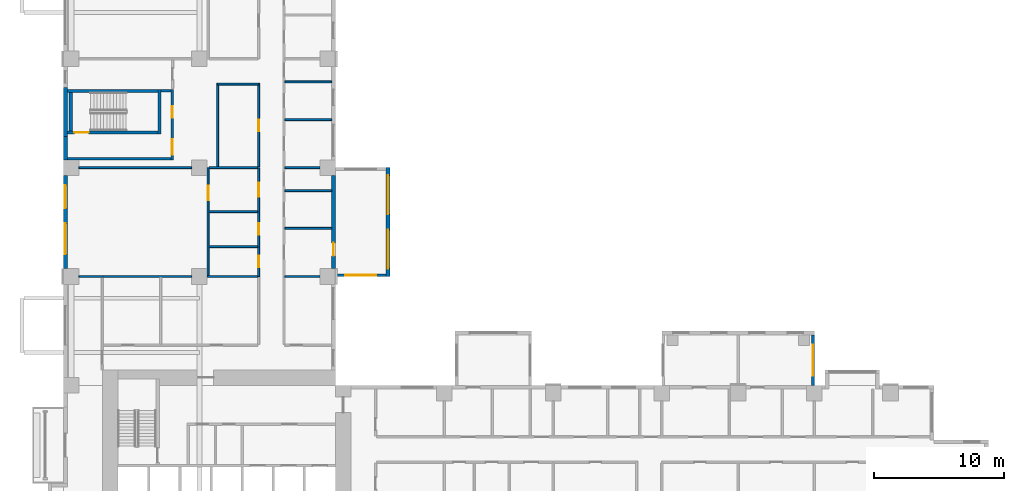
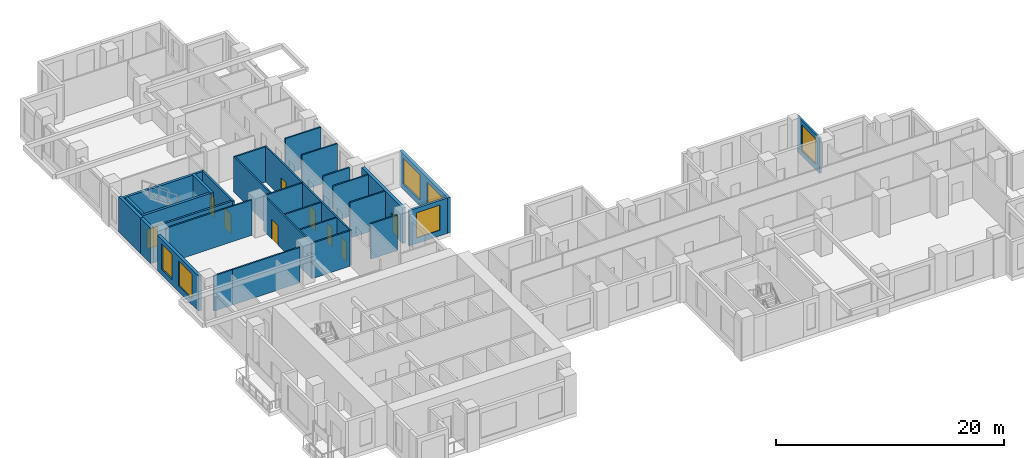
# One storey, part 6 of 14: 32 walls, 9 doors, 6 windows, 15 openings.
"""IFC4 building model written with IfcOpenShell, lengths in metres."""

import ifcopenshell
import ifcopenshell.guid

model = None  # the IFC model being written
_history = None  # IfcOwnerHistory: only IFC2X3 demands one
_inside = {}  # id of a spatial element -> (the spatial element, [elements in it])
_under = {}  # id of a project, library or spatial element -> (it, [spatial elements below it])
_declared = {}  # id of a project -> (the project, [libraries it declares])
_typed = {}  # id of a type object -> (the type object, [elements of that type])
_made_of = {}  # id of a material, layer set ... -> (it, [elements and type objects made of it])


def new_model(schema):
    """Start an empty IFC model of exactly this schema.

    Asked for "IFC4X3", IfcOpenShell would pick the latest addendum, in which some entities
    have other attributes; the version numbers below select the first issue.
    IFC2X3 requires an IfcOwnerHistory on every rooted entity: one is made here for all.
    """
    global model, _history
    if schema == "IFC4X3":
        model = ifcopenshell.file(schema_version=(4, 3, 0, 0))
    else:
        model = ifcopenshell.file(schema=schema)
    _inside.clear()
    _under.clear()
    _declared.clear()
    _typed.clear()
    _made_of.clear()
    _history = None
    if model.schema == "IFC2X3":
        org = make("IfcOrganization", Name="unknown")
        user = make(
            "IfcPersonAndOrganization",
            ThePerson=make("IfcPerson", FamilyName="unknown"),
            TheOrganization=org,
        )
        app = make(
            "IfcApplication",
            ApplicationDeveloper=org,
            Version="unknown",
            ApplicationFullName="unknown",
            ApplicationIdentifier="unknown",
        )
        _history = make(
            "IfcOwnerHistory",
            OwningUser=user,
            OwningApplication=app,
            ChangeAction="ADDED",
            CreationDate=0,
        )
    return model


def make(cls, **values):
    """One entity of the class cls with the attributes given. An attribute that is None is left unset."""
    return model.create_entity(
        cls, **{name: value for name, value in values.items() if value is not None}
    )


def rooted(cls, **values):
    """An entity with a GlobalId (a new one), such as an element, a storey or a relation."""
    return make(cls, GlobalId=ifcopenshell.guid.new(), OwnerHistory=_history, **values)


def si_unit(unit_type, name, prefix=None):
    """IfcSIUnit, for example si_unit("LENGTHUNIT", "METRE", prefix="MILLI")."""
    return make("IfcSIUnit", UnitType=unit_type, Prefix=prefix, Name=name)


def assignment(units):
    """IfcUnitAssignment: the units of a project."""
    return None if units is None else make("IfcUnitAssignment", Units=units)


def point(xyz):
    """IfcCartesianPoint."""
    return None if xyz is None else make("IfcCartesianPoint", Coordinates=xyz)


def direction(xyz):
    """IfcDirection."""
    return None if xyz is None else make("IfcDirection", DirectionRatios=xyz)


def frame(location, z_axis=None, x_axis=None):
    """IfcAxis2Placement3D, a coordinate frame: its origin and axes. An axis left out is left unset."""
    return make(
        "IfcAxis2Placement3D",
        Location=point(location),
        Axis=direction(z_axis),
        RefDirection=direction(x_axis),
    )


def frame_2d(location, x_axis=None):
    """IfcAxis2Placement2D, a coordinate frame in the plane: its origin and x axis."""
    return make(
        "IfcAxis2Placement2D", Location=point(location), RefDirection=direction(x_axis)
    )


def origin():
    """The frame at (0, 0, 0) with its axes left unset."""
    return frame((0.0, 0.0, 0.0))


def place(relative_to, where):
    """IfcLocalPlacement: puts the frame where relative to a parent placement (None: the world)."""
    return make(
        "IfcLocalPlacement", PlacementRelTo=relative_to, RelativePlacement=where
    )


def context(
    kind, dimensions, precision=None, world=None, true_north=None, identifier=None
):
    """IfcGeometricRepresentationContext, for example the 3D "Model" context."""
    return make(
        "IfcGeometricRepresentationContext",
        ContextIdentifier=identifier,
        ContextType=kind,
        CoordinateSpaceDimension=dimensions,
        Precision=precision,
        WorldCoordinateSystem=world,
        TrueNorth=true_north,
    )


def subcontext(parent, identifier, kind, view, scale=None):
    """IfcGeometricRepresentationSubContext, for example "Body" below "Model"."""
    return make(
        "IfcGeometricRepresentationSubContext",
        ContextIdentifier=identifier,
        ContextType=kind,
        ParentContext=parent,
        TargetScale=scale,
        TargetView=view,
    )


def project(units=None, contexts=None):
    """IfcProject with its units and contexts."""
    return rooted(
        "IfcProject",
        Name="project",
        RepresentationContexts=contexts,
        UnitsInContext=assignment(units),
    )


def spatial(cls, under=None, at=None, **own):
    """A site, building, storey or space (cls), placed at a placement, below another one or the project."""
    s = rooted(cls, ObjectPlacement=at, **own)
    if under is not None:
        _under.setdefault(under.id(), (under, []))[1].append(s)
    return s


def profile(cls, at=None, kind="AREA", **sizes):
    """A parametric profile (cls). Its sizes go by their IFC names, for example OverallWidth=200.0."""
    return make(cls, ProfileType=kind, Position=at, **sizes)


def rectangle(**sizes):
    """IfcRectangleProfileDef."""
    return profile("IfcRectangleProfileDef", **sizes)


def extrude(swept, where, along, depth):
    """IfcExtrudedAreaSolid: the profile swept, set in the frame where, extruded along a direction by depth."""
    return make(
        "IfcExtrudedAreaSolid",
        SweptArea=swept,
        Position=where,
        ExtrudedDirection=direction(along),
        Depth=depth,
    )


def shape(context_of_items, identifier, shape_type, items):
    """IfcShapeRepresentation: the items that make up one representation, for example the "Body"."""
    return make(
        "IfcShapeRepresentation",
        ContextOfItems=context_of_items,
        RepresentationIdentifier=identifier,
        RepresentationType=shape_type,
        Items=items,
    )


def source(mapping_origin, context_of_items, identifier, shape_type, items):
    """IfcRepresentationMap: a shape defined once, which mapped items show again and again."""
    return make(
        "IfcRepresentationMap",
        MappingOrigin=mapping_origin,
        MappedRepresentation=shape(context_of_items, identifier, shape_type, items),
    )


def transform(
    local_origin,
    x_axis=None,
    y_axis=None,
    z_axis=None,
    scale=None,
    scale2=None,
    scale3=None,
    uniform=True,
):
    """IfcCartesianTransformationOperator3D, or its non-uniform kind. x_axis, y_axis, z_axis: its Axis1, 2, 3."""
    if uniform:
        return make(
            "IfcCartesianTransformationOperator3D",
            Axis1=direction(x_axis),
            Axis2=direction(y_axis),
            LocalOrigin=point(local_origin),
            Scale=scale,
            Axis3=direction(z_axis),
        )
    return make(
        "IfcCartesianTransformationOperator3DnonUniform",
        Axis1=direction(x_axis),
        Axis2=direction(y_axis),
        LocalOrigin=point(local_origin),
        Scale=scale,
        Axis3=direction(z_axis),
        Scale2=scale2,
        Scale3=scale3,
    )


def mapped(mapping_source, mapping_target):
    """IfcMappedItem: shows the shape of a source again, moved by a transform."""
    return make(
        "IfcMappedItem", MappingSource=mapping_source, MappingTarget=mapping_target
    )


def material(Name=None, Category=None):
    """IfcMaterial."""
    return make("IfcMaterial", Name=Name, Category=Category)


def layer(
    of_material, thickness, ventilated=None, Name=None, Category=None, Priority=None
):
    """IfcMaterialLayer: one layer of a wall or slab, of a material (None: an air gap)."""
    return make(
        "IfcMaterialLayer",
        Material=of_material,
        LayerThickness=thickness,
        IsVentilated=ventilated,
        Name=Name,
        Category=Category,
        Priority=Priority,
    )


def layer_set(layers, Name=None):
    """IfcMaterialLayerSet."""
    return make("IfcMaterialLayerSet", MaterialLayers=layers, LayerSetName=Name)


def made_of(thing, what):
    """Note that an element or type object is made of a material, layer set ...; save() writes the relation."""
    if what is not None:
        _made_of.setdefault(what.id(), (what, []))[1].append(thing)
    return thing


def type_object(cls, material=None, **own):
    """A type object (cls), such as IfcWallType, which elements share."""
    return made_of(rooted(cls, **own), material)


def element(
    cls,
    number,
    at=None,
    inside=None,
    cuts=None,
    type_object=None,
    material=None,
    context=None,
    identifier="Body",
    shape_type=None,
    held_by="IfcProductDefinitionShape",
    body=None,
    shapes=None,
    **own,
):
    """One element of the class cls, such as IfcWall. Its Tag is "e" and its number.

    at: its placement. inside: the storey or other place that contains it. cuts: it is an
    opening in that element (IfcRelVoidsElement). A single representation is given by context,
    identifier, shape_type and body (its items); several are given by shapes. held_by: the class
    of the entity that holds the representations. save() writes the other relations.
    """
    e = rooted(cls, Tag="e%d" % number, ObjectPlacement=at, **own)
    if body is not None:
        shapes = [shape(context, identifier, shape_type, body)]
    if shapes is not None:
        e.Representation = make(held_by, Representations=shapes)
    if inside is not None:
        _inside.setdefault(inside.id(), (inside, []))[1].append(e)
    if cuts is not None:
        rooted(
            "IfcRelVoidsElement", RelatingBuildingElement=cuts, RelatedOpeningElement=e
        )
    if type_object is not None:
        _typed.setdefault(type_object.id(), (type_object, []))[1].append(e)
    return made_of(e, material)


def fill(opening, filler):
    """IfcRelFillsElement: the door or window that sits in an opening."""
    return rooted(
        "IfcRelFillsElement",
        RelatingOpeningElement=opening,
        RelatedBuildingElement=filler,
    )


def aggregate(whole, parts):
    """IfcRelAggregates: a whole, such as a stair, and the parts it consists of."""
    return rooted("IfcRelAggregates", RelatingObject=whole, RelatedObjects=parts)


def save(model, path):
    """Write the relations noted so far, then the file.

    IfcRelAggregates (storeys below a building ...), IfcRelContainedInSpatialStructure (elements
    in a storey), IfcRelDefinesByType, IfcRelAssociatesMaterial and IfcRelDeclares: one each for
    every whole, place, type object, material and project.
    """
    for whole, parts in _under.values():
        aggregate(whole, parts)
    for where, things in _inside.values():
        rooted(
            "IfcRelContainedInSpatialStructure",
            RelatedElements=things,
            RelatingStructure=where,
        )
    for kind, things in _typed.values():
        rooted("IfcRelDefinesByType", RelatedObjects=things, RelatingType=kind)
    for what, things in _made_of.values():
        rooted("IfcRelAssociatesMaterial", RelatedObjects=things, RelatingMaterial=what)
    for by, libraries in _declared.values():
        rooted("IfcRelDeclares", RelatingContext=by, RelatedDefinitions=libraries)
    model.write(path)


model = new_model("IFC4")

# Units and contexts
model_context = context("Model", 3, precision=1e-05, world=origin(), true_north=direction((0.0, 1.0)))
body_context = subcontext(model_context, "Body", "Model", "MODEL_VIEW")
ifc_project = project(units=[si_unit("LENGTHUNIT", "METRE"), si_unit("AREAUNIT", "SQUARE_METRE"), si_unit("VOLUMEUNIT", "CUBIC_METRE"), si_unit("PLANEANGLEUNIT", "RADIAN"), si_unit("MASSUNIT", "GRAM", prefix="KILO")], contexts=[model_context])

# Site, building, storey
site_placement = place(None, origin())
site = spatial("IfcSite", under=ifc_project, at=site_placement, CompositionType="ELEMENT")
building_placement = place(site_placement, origin())
building = spatial("IfcBuilding", under=site, at=building_placement, Name="Aurelian Terraces", CompositionType="ELEMENT")
storey_placement = place(building_placement, frame((0.0, 0.0, 53.1)))
storey = spatial("IfcBuildingStorey", under=building, at=storey_placement, Name="L10", CompositionType="ELEMENT", Elevation=53.1)

# Wall, openings, windows
ifc_material_1 = material(Name="Concrete fc' 40 MPa", Category="concrete")
ifc_layer_1 = layer(ifc_material_1, 0.3)
ifc_layer_set_1 = layer_set([ifc_layer_1], Name="BOX BEARING WALL 300")
wall_type_1 = type_object("IfcWallType", Name="BOX BEARING WALL 300", PredefinedType="SOLIDWALL", material=ifc_layer_set_1)
wall_1_placement = place(storey_placement, frame((25.05, 29.4, 0.0), z_axis=(0.0, 0.0, 1.0), x_axis=(0.0, 1.0, 0.0)))
wall_1 = element("IfcWall", 1, at=wall_1_placement, inside=storey, type_object=wall_type_1, Name="Box wall L10 J05", PredefinedType="SOLIDWALL", context=body_context, shape_type="SweptSolid", body=[
    extrude(rectangle(XDim=8.4, YDim=0.3, at=frame_2d((4.2, 0.0))), origin(), (0.0, 0.0, 1.0), 3.8),
])
shared_shape_1 = source(origin(), body_context, "Body", "SweptSolid", [
    extrude(rectangle(XDim=3.0, YDim=2.7, at=frame_2d((1.5, 1.35))), frame((0.0, 0.16, 0.0), z_axis=(0.0, -1.0, 0.0), x_axis=(1.0, 0.0, 0.0)), (0.0, 0.0, 1.0), 0.32),
])
opening_1_placement = place(wall_1_placement, frame((0.6, 0.0, 0.6)))
opening_1 = element("IfcOpeningElement", 2, at=opening_1_placement, cuts=wall_1, Name="Opening W3027", PredefinedType="OPENING", context=body_context, shape_type="MappedRepresentation", body=[
    mapped(shared_shape_1, transform((0.0, 0.0, 0.0), scale=1.0)),
])
opening_2_placement = place(wall_1_placement, frame((4.8, 0.0, 0.6)))
opening_2 = element("IfcOpeningElement", 3, at=opening_2_placement, cuts=wall_1, Name="Opening W3027", PredefinedType="OPENING", context=body_context, shape_type="MappedRepresentation", body=[
    mapped(shared_shape_1, transform((0.0, 0.0, 0.0), scale=1.0)),
])
ifc_material_2 = material(Name="Clear glazing", Category="glass")
window_type_1 = type_object("IfcWindowType", Name="W-3000x2700", PartitioningType="SINGLE_PANEL", PredefinedType="WINDOW", material=ifc_material_2)
shared_shape_2 = source(origin(), body_context, "Body", "SweptSolid", [
    extrude(rectangle(XDim=3.0, YDim=2.7, at=frame_2d((1.5, 1.35))), frame((0.0, 0.03, 0.0), z_axis=(0.0, -1.0, 0.0), x_axis=(1.0, 0.0, 0.0)), (0.0, 0.0, 1.0), 0.06),
])
window_1_placement = place(opening_1_placement, origin())
window_1 = element("IfcWindow", 4, at=window_1_placement, inside=storey, type_object=window_type_1, Name="Window L10 J05-F1", OverallHeight=2.7, OverallWidth=3.0, PartitioningType="SINGLE_PANEL", PredefinedType="WINDOW", context=body_context, shape_type="MappedRepresentation", body=[
    mapped(shared_shape_2, transform((0.0, 0.0, 0.0), scale=1.0)),
])
fill(opening_1, window_1)
window_2_placement = place(opening_2_placement, origin())
window_2 = element("IfcWindow", 5, at=window_2_placement, inside=storey, type_object=window_type_1, Name="Window L10 J05-F2", OverallHeight=2.7, OverallWidth=3.0, PartitioningType="SINGLE_PANEL", PredefinedType="WINDOW", context=body_context, shape_type="MappedRepresentation", body=[
    mapped(shared_shape_2, transform((0.0, 0.0, 0.0), scale=1.0)),
])
fill(opening_2, window_2)

# Wall, opening, door
ifc_material_3 = material(Name="Terracotta rainscreen cladding", Category="masonry")
ifc_layer_2 = layer(ifc_material_3, 0.3)
ifc_layer_set_2 = layer_set([ifc_layer_2], Name="EW-300")
wall_type_2 = type_object("IfcWallType", Name="EW-300", PredefinedType="STANDARD", material=ifc_layer_set_2)
shared_shape_3 = source(origin(), body_context, "Body", "SweptSolid", [
    extrude(rectangle(XDim=7.2, YDim=0.3, at=frame_2d((3.6, 0.0))), origin(), (0.0, 0.0, 1.0), 3.8),
])
wall_2_placement = place(storey_placement, frame((20.85, 30.0, 0.0), z_axis=(0.0, 0.0, 1.0), x_axis=(0.0, 1.0, 0.0)))
wall_2 = element("IfcWall", 6, at=wall_2_placement, inside=storey, type_object=wall_type_2, Name="External wall L10 F12.26", PredefinedType="STANDARD", context=body_context, shape_type="MappedRepresentation", body=[
    mapped(shared_shape_3, transform((0.0, 0.0, 0.0), scale=1.0)),
])
shared_shape_4 = source(origin(), body_context, "Body", "SweptSolid", [
    extrude(rectangle(XDim=1.0, YDim=2.1, at=frame_2d((0.5, 1.05))), frame((0.0, 0.16, 0.0), z_axis=(0.0, -1.0, 0.0), x_axis=(1.0, 0.0, 0.0)), (0.0, 0.0, 1.0), 0.32),
])
opening_3_placement = place(wall_2_placement, frame((1.0, 0.0, 0.0)))
opening_3 = element("IfcOpeningElement", 7, at=opening_3_placement, cuts=wall_2, Name="Opening 810001", PredefinedType="OPENING", context=body_context, shape_type="MappedRepresentation", body=[
    mapped(shared_shape_4, transform((0.0, 0.0, 0.0), scale=1.0)),
])
ifc_material_4 = material(Name="Timber door leaf", Category="wood")
door_type_1 = type_object("IfcDoorType", Name="Room door 1000x2100 left", OperationType="SINGLE_SWING_LEFT", PredefinedType="DOOR", material=ifc_material_4)
shared_shape_5 = source(origin(), body_context, "Body", "SweptSolid", [
    extrude(rectangle(XDim=1.0, YDim=2.1, at=frame_2d((0.5, 1.05))), frame((0.0, 0.025, 0.0), z_axis=(0.0, -1.0, 0.0), x_axis=(1.0, 0.0, 0.0)), (0.0, 0.0, 1.0), 0.05),
])
door_1_placement = place(opening_3_placement, origin())
door_1 = element("IfcDoor", 8, at=door_1_placement, inside=storey, type_object=door_type_1, Name="Door 810001", OperationType="SINGLE_SWING_LEFT", OverallHeight=2.1, OverallWidth=1.0, PredefinedType="DOOR", context=body_context, shape_type="MappedRepresentation", body=[
    mapped(shared_shape_5, transform((0.0, 0.0, 0.0), scale=1.0)),
])
fill(opening_3, door_1)

# Wall, openings, windows
wall_3_placement = place(storey_placement, frame((0.15, 37.2, 0.0), z_axis=(0.0, 0.0, 1.0), x_axis=(0.0, -1.0, 0.0)))
wall_3 = element("IfcWall", 9, at=wall_3_placement, inside=storey, type_object=wall_type_2, Name="External wall L10 F18.39", PredefinedType="STANDARD", context=body_context, shape_type="MappedRepresentation", body=[
    mapped(shared_shape_3, transform((0.0, 0.0, 0.0), scale=1.0)),
])
shared_shape_6 = source(origin(), body_context, "Body", "SweptSolid", [
    extrude(rectangle(XDim=1.8, YDim=2.7, at=frame_2d((0.9, 1.35))), frame((0.0, 0.16, 0.0), z_axis=(0.0, -1.0, 0.0), x_axis=(1.0, 0.0, 0.0)), (0.0, 0.0, 1.0), 0.32),
])
opening_4_placement = place(wall_3_placement, frame((0.7375, 0.0, 0.6)))
opening_4 = element("IfcOpeningElement", 10, at=opening_4_placement, cuts=wall_3, Name="Opening W1827", PredefinedType="OPENING", context=body_context, shape_type="MappedRepresentation", body=[
    mapped(shared_shape_6, transform((0.0, 0.0, 0.0), scale=1.0)),
])
shared_shape_7 = source(origin(), body_context, "Body", "SweptSolid", [
    extrude(rectangle(XDim=2.4, YDim=2.7, at=frame_2d((1.2, 1.35))), frame((0.0, 0.16, 0.0), z_axis=(0.0, -1.0, 0.0), x_axis=(1.0, 0.0, 0.0)), (0.0, 0.0, 1.0), 0.32),
])
opening_5_placement = place(wall_3_placement, frame((3.7, 0.0, 0.6)))
opening_5 = element("IfcOpeningElement", 11, at=opening_5_placement, cuts=wall_3, Name="Opening W2427", PredefinedType="OPENING", context=body_context, shape_type="MappedRepresentation", body=[
    mapped(shared_shape_7, transform((0.0, 0.0, 0.0), scale=1.0)),
])
window_type_2 = type_object("IfcWindowType", Name="W-2400x2700", PartitioningType="SINGLE_PANEL", PredefinedType="WINDOW", material=ifc_material_2)
shared_shape_8 = source(origin(), body_context, "Body", "SweptSolid", [
    extrude(rectangle(XDim=2.4, YDim=2.7, at=frame_2d((1.2, 1.35))), frame((0.0, 0.03, 0.0), z_axis=(0.0, -1.0, 0.0), x_axis=(1.0, 0.0, 0.0)), (0.0, 0.0, 1.0), 0.06),
])
window_3_placement = place(opening_5_placement, origin())
window_3 = element("IfcWindow", 12, at=window_3_placement, inside=storey, type_object=window_type_2, Name="Window L10 L10-F18-39-P6.2", OverallHeight=2.7, OverallWidth=2.4, PartitioningType="SINGLE_PANEL", PredefinedType="WINDOW", context=body_context, shape_type="MappedRepresentation", body=[
    mapped(shared_shape_8, transform((0.0, 0.0, 0.0), scale=1.0)),
])
fill(opening_5, window_3)
window_type_3 = type_object("IfcWindowType", Name="W-1800x2700", PartitioningType="SINGLE_PANEL", PredefinedType="WINDOW", material=ifc_material_2)
shared_shape_9 = source(origin(), body_context, "Body", "SweptSolid", [
    extrude(rectangle(XDim=1.8, YDim=2.7, at=frame_2d((0.9, 1.35))), frame((0.0, 0.03, 0.0), z_axis=(0.0, -1.0, 0.0), x_axis=(1.0, 0.0, 0.0)), (0.0, 0.0, 1.0), 0.06),
])
window_4_placement = place(opening_4_placement, origin())
window_4 = element("IfcWindow", 13, at=window_4_placement, inside=storey, type_object=window_type_3, Name="Window L10 L10-F18-39-P6.1", OverallHeight=2.7, OverallWidth=1.8, PartitioningType="SINGLE_PANEL", PredefinedType="WINDOW", context=body_context, shape_type="MappedRepresentation", body=[
    mapped(shared_shape_9, transform((0.0, 0.0, 0.0), scale=1.0)),
])
fill(opening_4, window_4)

# Walls
ifc_layer_3 = layer(ifc_material_1, 0.3)
ifc_layer_set_3 = layer_set([ifc_layer_3], Name="STAIR BAY WALL 300")
wall_type_3 = type_object("IfcWallType", Name="STAIR BAY WALL 300", PredefinedType="SOLIDWALL", material=ifc_layer_set_3)
shared_shape_10 = source(origin(), body_context, "Body", "SweptSolid", [
    extrude(rectangle(XDim=3.8, YDim=0.3, at=frame_2d((1.9, 0.0))), origin(), (0.0, 0.0, 1.0), 3.8),
])
wall_4_placement = place(storey_placement, frame((0.15, 44.0, 0.0), z_axis=(0.0, 0.0, 1.0), x_axis=(0.0, -1.0, 0.0)))
element("IfcWall", 14, at=wall_4_placement, inside=storey, type_object=wall_type_3, Name="Stair bay wall L10 F18.39", PredefinedType="SOLIDWALL", context=body_context, shape_type="MappedRepresentation", body=[
    mapped(shared_shape_10, transform((0.0, 0.0, 0.0), scale=1.0)),
])
shared_shape_11 = source(origin(), body_context, "Body", "SweptSolid", [
    extrude(rectangle(XDim=1.8, YDim=0.3, at=frame_2d((0.9, 0.0))), origin(), (0.0, 0.0, 1.0), 3.8),
])
wall_5_placement = place(storey_placement, frame((0.15, 40.2, 0.0), z_axis=(0.0, 0.0, 1.0), x_axis=(0.0, -1.0, 0.0)))
element("IfcWall", 15, at=wall_5_placement, inside=storey, type_object=wall_type_2, Name="External wall L10 F18.39", PredefinedType="STANDARD", context=body_context, shape_type="MappedRepresentation", body=[
    mapped(shared_shape_11, transform((0.0, 0.0, 0.0), scale=1.0)),
])

# Wall, opening, window
ifc_layer_4 = layer(ifc_material_1, 0.2)
ifc_layer_set_4 = layer_set([ifc_layer_4], Name="BOX BEARING WALL 200")
wall_type_4 = type_object("IfcWallType", Name="BOX BEARING WALL 200", PredefinedType="SOLIDWALL", material=ifc_layer_set_4)
shared_shape_12 = source(origin(), body_context, "Body", "SweptSolid", [
    extrude(rectangle(XDim=3.9, YDim=0.2, at=frame_2d((1.95, 0.0))), origin(), (0.0, 0.0, 1.0), 3.79),
])
wall_6_placement = place(storey_placement, frame((57.86, 21.0, 0.0), z_axis=(0.0, 0.0, 1.0), x_axis=(0.0, 1.0, 0.0)))
wall_6 = element("IfcWall", 16, at=wall_6_placement, inside=storey, type_object=wall_type_4, Name="Box return L10 K01.1", PredefinedType="SOLIDWALL", context=body_context, shape_type="MappedRepresentation", body=[
    mapped(shared_shape_12, transform((0.0, 0.0, 0.0), scale=1.0)),
])
shared_shape_13 = source(origin(), body_context, "Body", "SweptSolid", [
    extrude(rectangle(XDim=2.4, YDim=2.7, at=frame_2d((1.2, 1.35))), frame((0.0, 0.11, 0.0), z_axis=(0.0, -1.0, 0.0), x_axis=(1.0, 0.0, 0.0)), (0.0, 0.0, 1.0), 0.22),
])
opening_6_placement = place(wall_6_placement, frame((0.75, 0.0, 0.6)))
opening_6 = element("IfcOpeningElement", 17, at=opening_6_placement, cuts=wall_6, Name="Opening W2427", PredefinedType="OPENING", context=body_context, shape_type="MappedRepresentation", body=[
    mapped(shared_shape_13, transform((0.0, 0.0, 0.0), scale=1.0)),
])
window_5_placement = place(opening_6_placement, origin())
window_5 = element("IfcWindow", 18, at=window_5_placement, inside=storey, type_object=window_type_2, Name="Window L10 K01-S1", OverallHeight=2.7, OverallWidth=2.4, PartitioningType="SINGLE_PANEL", PredefinedType="WINDOW", context=body_context, shape_type="MappedRepresentation", body=[
    mapped(shared_shape_8, transform((0.0, 0.0, 0.0), scale=1.0)),
])
fill(opening_6, window_5)

shared_shape_14 = source(origin(), body_context, "Body", "SweptSolid", [
    extrude(rectangle(XDim=3.9, YDim=0.2, at=frame_2d((1.95, 0.0))), origin(), (0.0, 0.0, 1.0), 3.8),
])
wall_7_placement = place(storey_placement, frame((21.0, 29.5, 0.0), z_axis=(0.0, 0.0, 1.0), x_axis=(1.0, 0.0, 0.0)))
wall_7 = element("IfcWall", 19, at=wall_7_placement, inside=storey, type_object=wall_type_4, Name="Box return L10 J05.1", PredefinedType="SOLIDWALL", context=body_context, shape_type="MappedRepresentation", body=[
    mapped(shared_shape_14, transform((0.0, 0.0, 0.0), scale=1.0)),
])
opening_7_placement = place(wall_7_placement, frame((0.75, 0.0, 0.6)))
opening_7 = element("IfcOpeningElement", 20, at=opening_7_placement, cuts=wall_7, Name="Opening W2427", PredefinedType="OPENING", context=body_context, shape_type="MappedRepresentation", body=[
    mapped(shared_shape_13, transform((0.0, 0.0, 0.0), scale=1.0)),
])
window_6_placement = place(opening_7_placement, origin())
window_6 = element("IfcWindow", 21, at=window_6_placement, inside=storey, type_object=window_type_2, Name="Window L10 J05-S1", OverallHeight=2.7, OverallWidth=2.4, PartitioningType="SINGLE_PANEL", PredefinedType="WINDOW", context=body_context, shape_type="MappedRepresentation", body=[
    mapped(shared_shape_8, transform((0.0, 0.0, 0.0), scale=1.0)),
])
fill(opening_7, window_6)

# Wall, opening, door
ifc_layer_5 = layer(ifc_material_1, 0.25)
ifc_layer_set_5 = layer_set([ifc_layer_5], Name="Stair enclosure wall 250")
wall_type_5 = type_object("IfcWallType", Name="Stair enclosure wall 250", PredefinedType="SOLIDWALL", material=ifc_layer_set_5)
shared_shape_15 = source(origin(), body_context, "Body", "SweptSolid", [
    extrude(rectangle(XDim=7.0, YDim=0.25, at=frame_2d((3.5, 0.0))), origin(), (0.0, 0.0, 1.0), 3.8),
])
wall_8_placement = place(storey_placement, frame((0.3, 40.525, 0.0), z_axis=(0.0, 0.0, 1.0), x_axis=(1.0, 0.0, 0.0)))
wall_8 = element("IfcWall", 22, at=wall_8_placement, inside=storey, type_object=wall_type_5, Name="L10 core wall ST-S3-W", PredefinedType="SOLIDWALL", context=body_context, shape_type="MappedRepresentation", body=[
    mapped(shared_shape_15, transform((0.0, 0.0, 0.0), scale=1.0)),
])
shared_shape_16 = source(origin(), body_context, "Body", "SweptSolid", [
    extrude(rectangle(XDim=1.1, YDim=2.1, at=frame_2d((0.55, 1.05))), frame((0.0, 0.135, 0.0), z_axis=(0.0, -1.0, 0.0), x_axis=(1.0, 0.0, 0.0)), (0.0, 0.0, 1.0), 0.27),
])
opening_8_placement = place(wall_8_placement, frame((0.55, 0.0, 0.0)))
opening_8 = element("IfcOpeningElement", 23, at=opening_8_placement, cuts=wall_8, Name="Opening 61317", PredefinedType="OPENING", context=body_context, shape_type="MappedRepresentation", body=[
    mapped(shared_shape_16, transform((0.0, 0.0, 0.0), scale=1.0)),
])
ifc_material_5 = material(Name="Steel door leaf", Category="steel")
door_type_2 = type_object("IfcDoorType", Name="Core fire door 1100x2100", OperationType="SINGLE_SWING_LEFT", PredefinedType="DOOR", material=ifc_material_5)
shared_shape_17 = source(origin(), body_context, "Body", "SweptSolid", [
    extrude(rectangle(XDim=1.1, YDim=2.1, at=frame_2d((0.55, 1.05))), frame((0.0, 0.025, 0.0), z_axis=(0.0, -1.0, 0.0), x_axis=(1.0, 0.0, 0.0)), (0.0, 0.0, 1.0), 0.05),
])
door_2_placement = place(opening_8_placement, origin())
door_2 = element("IfcDoor", 24, at=door_2_placement, inside=storey, type_object=door_type_2, Name="Stair door 61317", OperationType="SINGLE_SWING_LEFT", OverallHeight=2.1, OverallWidth=1.1, PredefinedType="DOOR", context=body_context, shape_type="MappedRepresentation", body=[
    mapped(shared_shape_17, transform((0.0, 0.0, 0.0), scale=1.0)),
])
fill(opening_8, door_2)

# Walls
wall_9_placement = place(storey_placement, frame((0.3, 43.725, 0.0), z_axis=(0.0, 0.0, 1.0), x_axis=(1.0, 0.0, 0.0)))
element("IfcWall", 25, at=wall_9_placement, inside=storey, type_object=wall_type_5, Name="L10 core wall ST-S3-E", PredefinedType="SOLIDWALL", context=body_context, shape_type="MappedRepresentation", body=[
    mapped(shared_shape_15, transform((0.0, 0.0, 0.0), scale=1.0)),
])
shared_shape_18 = source(origin(), body_context, "Body", "SweptSolid", [
    extrude(rectangle(XDim=3.45, YDim=0.25, at=frame_2d((1.725, 0.0))), origin(), (0.0, 0.0, 1.0), 3.8),
])
wall_10_placement = place(storey_placement, frame((7.425, 40.4, 0.0), z_axis=(0.0, 0.0, 1.0), x_axis=(0.0, 1.0, 0.0)))
element("IfcWall", 26, at=wall_10_placement, inside=storey, type_object=wall_type_5, Name="L10 core wall ST-S3-N", PredefinedType="SOLIDWALL", context=body_context, shape_type="MappedRepresentation", body=[
    mapped(shared_shape_18, transform((0.0, 0.0, 0.0), scale=1.0)),
])
shared_shape_19 = source(origin(), body_context, "Body", "SweptSolid", [
    extrude(rectangle(XDim=2.95, YDim=0.25, at=frame_2d((1.475, 0.0))), origin(), (0.0, 0.0, 1.0), 3.8),
])
wall_11_placement = place(storey_placement, frame((0.575, 40.65, 0.0), z_axis=(0.0, 0.0, 1.0), x_axis=(0.0, 1.0, 0.0)))
element("IfcWall", 27, at=wall_11_placement, inside=storey, type_object=wall_type_5, Name="L10 core wall ST-S3-SS", PredefinedType="SOLIDWALL", context=body_context, shape_type="MappedRepresentation", body=[
    mapped(shared_shape_19, transform((0.0, 0.0, 0.0), scale=1.0)),
])
ifc_material_6 = material(Name="Gypsum board on steel studs", Category="steel")
ifc_layer_6 = layer(ifc_material_6, 0.2)
ifc_layer_set_6 = layer_set([ifc_layer_6], Name="Core partition 200")
wall_type_6 = type_object("IfcWallType", Name="Core partition 200", PredefinedType="PARTITIONING", material=ifc_layer_set_6)
shared_shape_20 = source(origin(), body_context, "Body", "SweptSolid", [
    extrude(rectangle(XDim=8.0, YDim=0.2, at=frame_2d((4.0, 0.0))), origin(), (0.0, 0.0, 1.0), 3.8),
])
wall_12_placement = place(storey_placement, frame((0.3, 38.5, 0.0), z_axis=(0.0, 0.0, 1.0), x_axis=(1.0, 0.0, 0.0)))
element("IfcWall", 28, at=wall_12_placement, inside=storey, type_object=wall_type_6, Name="L10 core wall ST-S3-VW", PredefinedType="PARTITIONING", context=body_context, shape_type="MappedRepresentation", body=[
    mapped(shared_shape_20, transform((0.0, 0.0, 0.0), scale=1.0)),
])

# Wall, openings, doors
shared_shape_21 = source(origin(), body_context, "Body", "SweptSolid", [
    extrude(rectangle(XDim=5.45, YDim=0.2, at=frame_2d((2.725, 0.0))), origin(), (0.0, 0.0, 1.0), 3.8),
])
wall_13_placement = place(storey_placement, frame((8.4, 38.4, 0.0), z_axis=(0.0, 0.0, 1.0), x_axis=(0.0, 1.0, 0.0)))
wall_13 = element("IfcWall", 29, at=wall_13_placement, inside=storey, type_object=wall_type_6, Name="L10 core wall ST-S3-BN", PredefinedType="PARTITIONING", context=body_context, shape_type="MappedRepresentation", body=[
    mapped(shared_shape_21, transform((0.0, 0.0, 0.0), scale=1.0)),
])
shared_shape_22 = source(origin(), body_context, "Body", "SweptSolid", [
    extrude(rectangle(XDim=1.2, YDim=2.1, at=frame_2d((0.6, 1.05))), frame((0.0, 0.11, 0.0), z_axis=(0.0, -1.0, 0.0), x_axis=(1.0, 0.0, 0.0)), (0.0, 0.0, 1.0), 0.22),
])
opening_9_placement = place(wall_13_placement, frame((0.4, 0.0, 0.0)))
opening_9 = element("IfcOpeningElement", 30, at=opening_9_placement, cuts=wall_13, Name="Opening 61318", PredefinedType="OPENING", context=body_context, shape_type="MappedRepresentation", body=[
    mapped(shared_shape_22, transform((0.0, 0.0, 0.0), scale=1.0)),
])
shared_shape_23 = source(origin(), body_context, "Body", "SweptSolid", [
    extrude(rectangle(XDim=0.9, YDim=2.1, at=frame_2d((0.45, 1.05))), frame((0.0, 0.11, 0.0), z_axis=(0.0, -1.0, 0.0), x_axis=(1.0, 0.0, 0.0)), (0.0, 0.0, 1.0), 0.22),
])
opening_10_placement = place(wall_13_placement, frame((3.25, 0.0, 0.0)))
opening_10 = element("IfcOpeningElement", 31, at=opening_10_placement, cuts=wall_13, Name="Opening 61319", PredefinedType="OPENING", context=body_context, shape_type="MappedRepresentation", body=[
    mapped(shared_shape_23, transform((0.0, 0.0, 0.0), scale=1.0)),
])
door_type_3 = type_object("IfcDoorType", Name="Core riser door 900x2100", OperationType="SINGLE_SWING_LEFT", PredefinedType="DOOR", material=ifc_material_5)
shared_shape_24 = source(origin(), body_context, "Body", "SweptSolid", [
    extrude(rectangle(XDim=0.9, YDim=2.1, at=frame_2d((0.45, 1.05))), frame((0.0, 0.025, 0.0), z_axis=(0.0, -1.0, 0.0), x_axis=(1.0, 0.0, 0.0)), (0.0, 0.0, 1.0), 0.05),
])
door_3_placement = place(opening_10_placement, origin())
door_3 = element("IfcDoor", 32, at=door_3_placement, inside=storey, type_object=door_type_3, Name="Riser door 61319", OperationType="SINGLE_SWING_LEFT", OverallHeight=2.1, OverallWidth=0.9, PredefinedType="DOOR", context=body_context, shape_type="MappedRepresentation", body=[
    mapped(shared_shape_24, transform((0.0, 0.0, 0.0), scale=1.0)),
])
fill(opening_10, door_3)
door_type_4 = type_object("IfcDoorType", Name="Core fire door 1200x2100 right", OperationType="SINGLE_SWING_RIGHT", PredefinedType="DOOR", material=ifc_material_5)
shared_shape_25 = source(origin(), body_context, "Body", "SweptSolid", [
    extrude(rectangle(XDim=1.2, YDim=2.1, at=frame_2d((0.6, 1.05))), frame((0.0, 0.025, 0.0), z_axis=(0.0, -1.0, 0.0), x_axis=(1.0, 0.0, 0.0)), (0.0, 0.0, 1.0), 0.05),
])
door_4_placement = place(opening_9_placement, origin())
door_4 = element("IfcDoor", 33, at=door_4_placement, inside=storey, type_object=door_type_4, Name="Vestibule door 61318", OperationType="SINGLE_SWING_RIGHT", OverallHeight=2.1, OverallWidth=1.2, PredefinedType="DOOR", context=body_context, shape_type="MappedRepresentation", body=[
    mapped(shared_shape_25, transform((0.0, 0.0, 0.0), scale=1.0)),
])
fill(opening_9, door_4)

# Walls
shared_shape_26 = source(origin(), body_context, "Body", "SweptSolid", [
    extrude(rectangle(XDim=0.75, YDim=0.2, at=frame_2d((0.375, 0.0))), origin(), (0.0, 0.0, 1.0), 3.8),
])
wall_14_placement = place(storey_placement, frame((7.55, 43.75, 0.0), z_axis=(0.0, 0.0, 1.0), x_axis=(1.0, 0.0, 0.0)))
element("IfcWall", 34, at=wall_14_placement, inside=storey, type_object=wall_type_6, Name="L10 core wall ST-S3-RE", PredefinedType="PARTITIONING", context=body_context, shape_type="MappedRepresentation", body=[
    mapped(shared_shape_26, transform((0.0, 0.0, 0.0), scale=1.0)),
])
ifc_layer_7 = layer(ifc_material_6, 0.15)
ifc_layer_set_7 = layer_set([ifc_layer_7], Name="Partition 150")
wall_type_7 = type_object("IfcWallType", Name="Partition 150", PredefinedType="PARTITIONING", material=ifc_layer_set_7)
shared_shape_27 = source(origin(), body_context, "Body", "SweptSolid", [
    extrude(rectangle(XDim=6.45, YDim=0.15, at=frame_2d((3.225, 0.0))), origin(), (0.0, 0.0, 1.0), 3.8),
])
wall_15_placement = place(storey_placement, frame((11.9, 44.325, 0.0), z_axis=(0.0, 0.0, 1.0), x_axis=(0.0, -1.0, 0.0)))
element("IfcWall", 35, at=wall_15_placement, inside=storey, type_object=wall_type_7, Name="Partition", PredefinedType="PARTITIONING", context=body_context, shape_type="MappedRepresentation", body=[
    mapped(shared_shape_27, transform((0.0, 0.0, 0.0), scale=1.0)),
])

# Wall, opening, door
ifc_layer_8 = layer(ifc_material_6, 0.15)
ifc_layer_set_8 = layer_set([ifc_layer_8], Name="Fire partition 150")
wall_type_8 = type_object("IfcWallType", Name="Fire partition 150", PredefinedType="PARTITIONING", material=ifc_layer_set_8)
wall_16_placement = place(storey_placement, frame((15.075, 37.875, 0.0), z_axis=(0.0, 0.0, 1.0), x_axis=(0.0, 1.0, 0.0)))
wall_16 = element("IfcWall", 36, at=wall_16_placement, inside=storey, type_object=wall_type_8, Name="Corridor wall", PredefinedType="PARTITIONING", context=body_context, shape_type="MappedRepresentation", body=[
    mapped(shared_shape_27, transform((0.0, 0.0, 0.0), scale=1.0)),
])
shared_shape_28 = source(origin(), body_context, "Body", "SweptSolid", [
    extrude(rectangle(XDim=0.9, YDim=2.1, at=frame_2d((0.45, 1.05))), frame((0.0, 0.085, 0.0), z_axis=(0.0, -1.0, 0.0), x_axis=(1.0, 0.0, 0.0)), (0.0, 0.0, 1.0), 0.17),
])
opening_11_placement = place(wall_16_placement, frame((2.7375, 0.0, 0.0)))
opening_11 = element("IfcOpeningElement", 37, at=opening_11_placement, cuts=wall_16, Name="Opening 710030", PredefinedType="OPENING", context=body_context, shape_type="MappedRepresentation", body=[
    mapped(shared_shape_28, transform((0.0, 0.0, 0.0), scale=1.0)),
])
door_type_5 = type_object("IfcDoorType", Name="Room door 900x2100 right", OperationType="SINGLE_SWING_RIGHT", PredefinedType="DOOR", material=ifc_material_4)
door_5_placement = place(opening_11_placement, origin())
door_5 = element("IfcDoor", 38, at=door_5_placement, inside=storey, type_object=door_type_5, Name="Door 710030", OperationType="SINGLE_SWING_RIGHT", OverallHeight=2.1, OverallWidth=0.9, PredefinedType="DOOR", context=body_context, shape_type="MappedRepresentation", body=[
    mapped(shared_shape_24, transform((0.0, 0.0, 0.0), scale=1.0)),
])
fill(opening_11, door_5)

# Walls
shared_shape_29 = source(origin(), body_context, "Body", "SweptSolid", [
    extrude(rectangle(XDim=3.75, YDim=0.15, at=frame_2d((1.875, 0.0))), origin(), (0.0, 0.0, 1.0), 3.8),
])
for number, where, z_axis, x_axis, name in (
    (39, (15.0, 31.7101, 0.0), (0.0, 0.0, 1.0), (-1.0, 0.0, 0.0), "Partition"),
    (40, (15.0, 34.403, 0.0), (0.0, 0.0, 1.0), (-1.0, 0.0, 0.0), "Partition"),
    (41, (15.0, 37.8, 0.0), (0.0, 0.0, 1.0), (-1.0, 0.0, 0.0), "Partition"),
):
    element("IfcWall", number, at=place(storey_placement, frame(where, z_axis=z_axis, x_axis=x_axis)), inside=storey, type_object=wall_type_7, Name=name, PredefinedType="PARTITIONING", context=body_context, shape_type="MappedRepresentation", body=[
        mapped(shared_shape_29, transform((0.0, 0.0, 0.0), scale=1.0)),
    ])
shared_shape_30 = source(origin(), body_context, "Body", "SweptSolid", [
    extrude(rectangle(XDim=8.702, YDim=0.15, at=frame_2d((4.351, 0.0))), origin(), (0.0, 0.0, 1.0), 3.8),
])
wall_17_placement = place(storey_placement, frame((9.901, 37.8, 0.0), z_axis=(0.0, 0.0, 1.0), x_axis=(-1.0, 0.0, 0.0)))
element("IfcWall", 42, at=wall_17_placement, inside=storey, type_object=wall_type_7, Name="Partition", PredefinedType="PARTITIONING", context=body_context, shape_type="MappedRepresentation", body=[
    mapped(shared_shape_30, transform((0.0, 0.0, 0.0), scale=1.0)),
])
shared_shape_31 = source(origin(), body_context, "Body", "SweptSolid", [
    extrude(rectangle(XDim=3.6, YDim=0.15, at=frame_2d((1.8, 0.0))), origin(), (0.0, 0.0, 1.0), 3.8),
])
for number, where, z_axis, x_axis, name in (
    (43, (17.1, 33.1133, 0.0), (0.0, 0.0, 1.0), (1.0, 0.0, 0.0), "Partition"),
    (44, (17.1, 36.024, 0.0), (0.0, 0.0, 1.0), (1.0, 0.0, 0.0), "Partition"),
    (45, (17.1, 41.5133, 0.0), (0.0, 0.0, 1.0), (1.0, 0.0, 0.0), "Partition"),
    (46, (17.1, 44.424, 0.0), (0.0, 0.0, 1.0), (1.0, 0.0, 0.0), "Partition"),
):
    element("IfcWall", number, at=place(storey_placement, frame(where, z_axis=z_axis, x_axis=x_axis)), inside=storey, type_object=wall_type_7, Name=name, PredefinedType="PARTITIONING", context=body_context, shape_type="MappedRepresentation", body=[
        mapped(shared_shape_31, transform((0.0, 0.0, 0.0), scale=1.0)),
    ])
shared_shape_32 = source(origin(), body_context, "Body", "SweptSolid", [
    extrude(rectangle(XDim=2.701, YDim=0.15, at=frame_2d((1.3505, 0.0))), origin(), (0.0, 0.0, 1.0), 3.8),
])
for number, where, z_axis, x_axis, name in (
    (47, (19.801, 29.4, 0.0), (0.0, 0.0, 1.0), (-1.0, 0.0, 0.0), "Partition"),
    (48, (19.801, 37.8, 0.0), (0.0, 0.0, 1.0), (-1.0, 0.0, 0.0), "Partition"),
):
    element("IfcWall", number, at=place(storey_placement, frame(where, z_axis=z_axis, x_axis=x_axis)), inside=storey, type_object=wall_type_7, Name=name, PredefinedType="PARTITIONING", context=body_context, shape_type="MappedRepresentation", body=[
        mapped(shared_shape_32, transform((0.0, 0.0, 0.0), scale=1.0)),
    ])

# Wall, opening, door
shared_shape_33 = source(origin(), body_context, "Body", "SweptSolid", [
    extrude(rectangle(XDim=8.4, YDim=0.15, at=frame_2d((4.2, 0.0))), origin(), (0.0, 0.0, 1.0), 3.8),
])
wall_18_placement = place(storey_placement, frame((11.175, 29.4, 0.0), z_axis=(0.0, 0.0, 1.0), x_axis=(0.0, 1.0, 0.0)))
wall_18 = element("IfcWall", 49, at=wall_18_placement, inside=storey, type_object=wall_type_7, Name="Partition", PredefinedType="PARTITIONING", context=body_context, shape_type="MappedRepresentation", body=[
    mapped(shared_shape_33, transform((0.0, 0.0, 0.0), scale=1.0)),
])
shared_shape_34 = source(origin(), body_context, "Body", "SweptSolid", [
    extrude(rectangle(XDim=1.1, YDim=2.1, at=frame_2d((0.55, 1.05))), frame((0.0, 0.085, 0.0), z_axis=(0.0, -1.0, 0.0), x_axis=(1.0, 0.0, 0.0)), (0.0, 0.0, 1.0), 0.17),
])
opening_12_placement = place(wall_18_placement, frame((5.889, 0.0, 0.0)))
opening_12 = element("IfcOpeningElement", 50, at=opening_12_placement, cuts=wall_18, Name="Opening 710033", PredefinedType="OPENING", context=body_context, shape_type="MappedRepresentation", body=[
    mapped(shared_shape_34, transform((0.0, 0.0, 0.0), scale=1.0)),
])
door_type_6 = type_object("IfcDoorType", Name="Room door 1100x2100 right", OperationType="SINGLE_SWING_RIGHT", PredefinedType="DOOR", material=ifc_material_4)
door_6_placement = place(opening_12_placement, origin())
door_6 = element("IfcDoor", 51, at=door_6_placement, inside=storey, type_object=door_type_6, Name="Door 710033", OperationType="SINGLE_SWING_RIGHT", OverallHeight=2.1, OverallWidth=1.1, PredefinedType="DOOR", context=body_context, shape_type="MappedRepresentation", body=[
    mapped(shared_shape_17, transform((0.0, 0.0, 0.0), scale=1.0)),
])
fill(opening_12, door_6)

# Wall, openings, doors
wall_19_placement = place(storey_placement, frame((15.075, 29.4, 0.0), z_axis=(0.0, 0.0, 1.0), x_axis=(0.0, 1.0, 0.0)))
wall_19 = element("IfcWall", 52, at=wall_19_placement, inside=storey, type_object=wall_type_8, Name="Corridor wall", PredefinedType="PARTITIONING", context=body_context, shape_type="MappedRepresentation", body=[
    mapped(shared_shape_33, transform((0.0, 0.0, 0.0), scale=1.0)),
])
opening_13_placement = place(wall_19_placement, frame((6.1515, 0.0, 0.0)))
opening_13 = element("IfcOpeningElement", 53, at=opening_13_placement, cuts=wall_19, Name="Opening 710032", PredefinedType="OPENING", context=body_context, shape_type="MappedRepresentation", body=[
    mapped(shared_shape_34, transform((0.0, 0.0, 0.0), scale=1.0)),
])
opening_14_placement = place(wall_19_placement, frame((0.7051, 0.0, 0.0)))
opening_14 = element("IfcOpeningElement", 54, at=opening_14_placement, cuts=wall_19, Name="Opening 710034", PredefinedType="OPENING", context=body_context, shape_type="MappedRepresentation", body=[
    mapped(shared_shape_28, transform((0.0, 0.0, 0.0), scale=1.0)),
])
opening_15_placement = place(wall_19_placement, frame((3.2065, 0.0, 0.0)))
opening_15 = element("IfcOpeningElement", 55, at=opening_15_placement, cuts=wall_19, Name="Opening 710035", PredefinedType="OPENING", context=body_context, shape_type="MappedRepresentation", body=[
    mapped(shared_shape_28, transform((0.0, 0.0, 0.0), scale=1.0)),
])
door_type_7 = type_object("IfcDoorType", Name="Room door 900x2100 left", OperationType="SINGLE_SWING_LEFT", PredefinedType="DOOR", material=ifc_material_4)
door_7_placement = place(opening_14_placement, origin())
door_7 = element("IfcDoor", 56, at=door_7_placement, inside=storey, type_object=door_type_7, Name="Door 710034", OperationType="SINGLE_SWING_LEFT", OverallHeight=2.1, OverallWidth=0.9, PredefinedType="DOOR", context=body_context, shape_type="MappedRepresentation", body=[
    mapped(shared_shape_24, transform((0.0, 0.0, 0.0), scale=1.0)),
])
fill(opening_14, door_7)
door_8_placement = place(opening_15_placement, origin())
door_8 = element("IfcDoor", 57, at=door_8_placement, inside=storey, type_object=door_type_5, Name="Door 710035", OperationType="SINGLE_SWING_RIGHT", OverallHeight=2.1, OverallWidth=0.9, PredefinedType="DOOR", context=body_context, shape_type="MappedRepresentation", body=[
    mapped(shared_shape_24, transform((0.0, 0.0, 0.0), scale=1.0)),
])
fill(opening_15, door_8)
door_type_8 = type_object("IfcDoorType", Name="Room door 1100x2100 left", OperationType="SINGLE_SWING_LEFT", PredefinedType="DOOR", material=ifc_material_4)
door_9_placement = place(opening_13_placement, origin())
door_9 = element("IfcDoor", 58, at=door_9_placement, inside=storey, type_object=door_type_8, Name="Door 710032", OperationType="SINGLE_SWING_LEFT", OverallHeight=2.1, OverallWidth=1.1, PredefinedType="DOOR", context=body_context, shape_type="MappedRepresentation", body=[
    mapped(shared_shape_17, transform((0.0, 0.0, 0.0), scale=1.0)),
])
fill(opening_13, door_9)

# Walls
shared_shape_35 = source(origin(), body_context, "Body", "SweptSolid", [
    extrude(rectangle(XDim=6.826, YDim=0.15, at=frame_2d((3.413, 0.0))), origin(), (0.0, 0.0, 1.0), 3.8),
])
wall_20_placement = place(storey_placement, frame((9.901, 29.4, 0.0), z_axis=(0.0, 0.0, 1.0), x_axis=(-1.0, 0.0, 0.0)))
element("IfcWall", 59, at=wall_20_placement, inside=storey, type_object=wall_type_7, Name="Partition", PredefinedType="PARTITIONING", context=body_context, shape_type="MappedRepresentation", body=[
    mapped(shared_shape_35, transform((0.0, 0.0, 0.0), scale=1.0)),
])
shared_shape_36 = source(origin(), body_context, "Body", "SweptSolid", [
    extrude(rectangle(XDim=3.901, YDim=0.15, at=frame_2d((1.9505, 0.0))), origin(), (0.0, 0.0, 1.0), 3.8),
])
wall_21_placement = place(storey_placement, frame((15.0, 29.4, 0.0), z_axis=(0.0, 0.0, 1.0), x_axis=(-1.0, 0.0, 0.0)))
element("IfcWall", 60, at=wall_21_placement, inside=storey, type_object=wall_type_7, Name="Partition", PredefinedType="PARTITIONING", context=body_context, shape_type="MappedRepresentation", body=[
    mapped(shared_shape_36, transform((0.0, 0.0, 0.0), scale=1.0)),
])
shared_shape_37 = source(origin(), body_context, "Body", "SweptSolid", [
    extrude(rectangle(XDim=1.856, YDim=0.15, at=frame_2d((0.928, 0.0))), origin(), (0.0, 0.0, 1.0), 3.8),
])
wall_22_placement = place(storey_placement, frame((3.055, 29.4, 0.0), z_axis=(0.0, 0.0, 1.0), x_axis=(-1.0, 0.0, 0.0)))
element("IfcWall", 61, at=wall_22_placement, inside=storey, type_object=wall_type_7, Name="Partition", PredefinedType="PARTITIONING", context=body_context, shape_type="MappedRepresentation", body=[
    mapped(shared_shape_37, transform((0.0, 0.0, 0.0), scale=1.0)),
])
shared_shape_38 = source(origin(), body_context, "Body", "SweptSolid", [
    extrude(rectangle(XDim=3.175, YDim=0.15, at=frame_2d((1.5875, 0.0))), origin(), (0.0, 0.0, 1.0), 3.8),
])
wall_23_placement = place(storey_placement, frame((15.075, 44.25, 0.0), z_axis=(0.0, 0.0, 1.0), x_axis=(-1.0, 0.0, 0.0)))
element("IfcWall", 62, at=wall_23_placement, inside=storey, type_object=wall_type_7, Name="Partition", PredefinedType="PARTITIONING", context=body_context, shape_type="MappedRepresentation", body=[
    mapped(shared_shape_38, transform((0.0, 0.0, 0.0), scale=1.0)),
])

save(model, "model.ifc")
